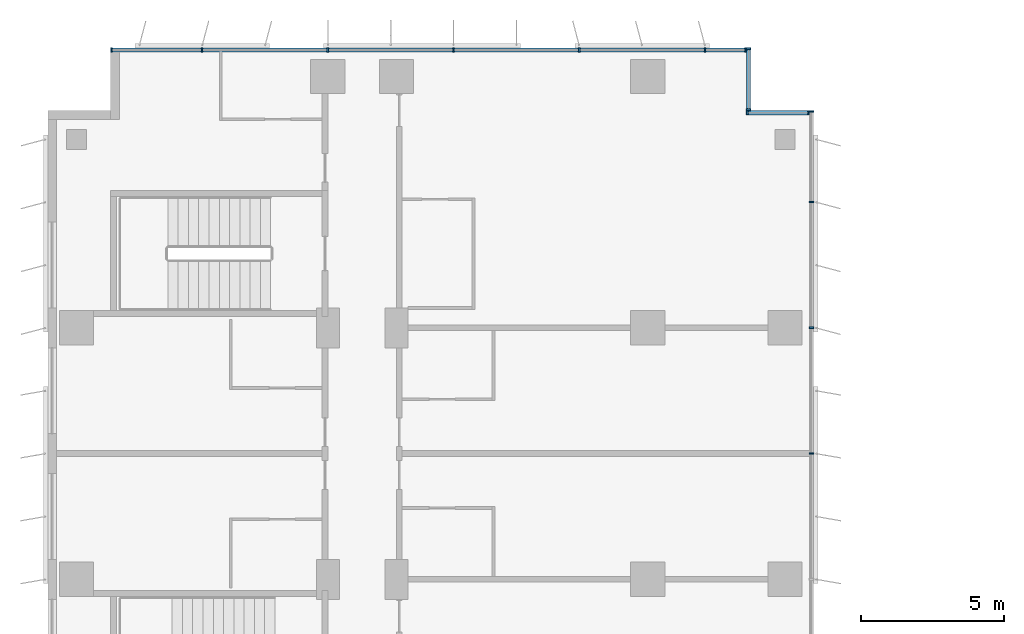
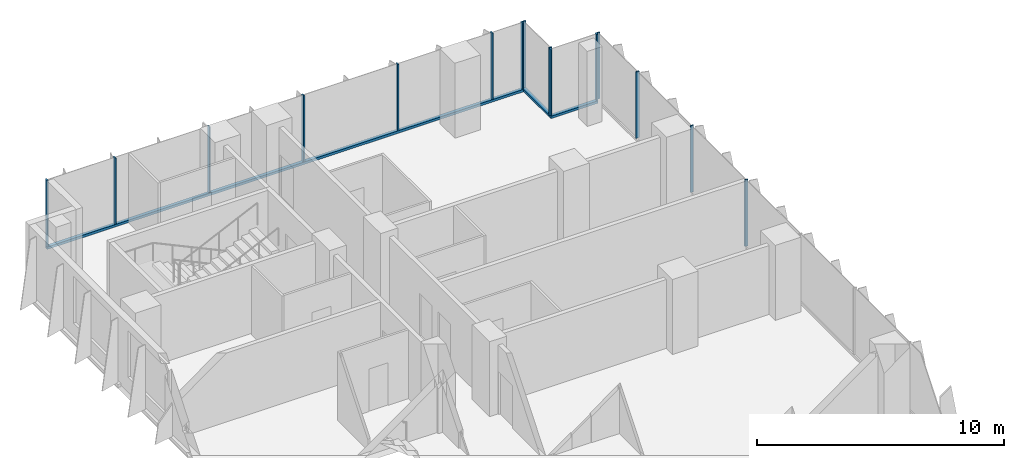
# One storey, part 9 of 23: 18 members, 4 elements without a shape of their own.
"""IFC4 building model written with IfcOpenShell, lengths in metres."""

from ifc_helpers import new_model, si_unit, direction, frame, origin, origin_2d, place, context, subcontext, project, spatial, rectangle, extrude, source, transform, mapped, material, material_profile, profile_set, type_object, element, aggregate, save


model = new_model("IFC4")

# Units and contexts
model_context = context("Model", 3, precision=1e-05, world=origin(), true_north=direction((0.0, 1.0)))
body_context = subcontext(model_context, "Body", "Model", "MODEL_VIEW")
ifc_project = project(units=[si_unit("LENGTHUNIT", "METRE"), si_unit("AREAUNIT", "SQUARE_METRE"), si_unit("VOLUMEUNIT", "CUBIC_METRE"), si_unit("PLANEANGLEUNIT", "RADIAN"), si_unit("MASSUNIT", "GRAM", prefix="KILO")], contexts=[model_context])

# Site, building, storey
site_placement = place(None, origin())
site = spatial("IfcSite", under=ifc_project, at=site_placement, CompositionType="ELEMENT")
building_placement = place(site_placement, origin())
building = spatial("IfcBuilding", under=site, at=building_placement, Name="Kemantara Hotel Tower", CompositionType="ELEMENT")
storey_placement = place(building_placement, frame((0.0, 0.0, 118.5)))
storey = spatial("IfcBuildingStorey", under=building, at=storey_placement, Name="L28", CompositionType="ELEMENT", Elevation=118.5)

# Curtain wall, member
ifc_material_1 = material(Name="Low-E tinted double insulated glass 36 mm", Category="glass")
curtain_wall_type = type_object("IfcCurtainWallType", Name="TOWER CURTAIN WALL, FRONT FACES", PredefinedType="USERDEFINED", material=ifc_material_1)
curtain_wall_1_placement = place(storey_placement, origin())
curtain_wall_1 = element("IfcCurtainWall", 1, at=curtain_wall_1_placement, inside=storey, type_object=curtain_wall_type, Name="CW4 L28 T2-R01-1", ObjectType="TOWER CURTAIN WALL, FRONT FACES", PredefinedType="USERDEFINED")
ifc_material_2 = material(Name="Aluminium 6063-T6 bronze anodised", Category="aluminium")
ifc_material_profile_1 = material_profile(ifc_material_2, rectangle(XDim=0.14990234375, YDim=0.1201171875, at=origin_2d()), Name="TOWER CURTAIN WALL, FRONT FACES TRANSOM")
ifc_profile_set_1 = profile_set([ifc_material_profile_1], Name="Aluminium 6063-T6 bronze anodised")
member_type_1 = type_object("IfcMemberType", Name="TOWER CURTAIN WALL, FRONT FACES TRANSOM", PredefinedType="USERDEFINED", material=ifc_profile_set_1)
member_1_placement = place(storey_placement, frame((24.449951171875, 81.125, 0.06005859375), z_axis=(-1.0, 0.0, 0.0), x_axis=(0.0, -1.0, 0.0)))
member_1 = element("IfcMember", 2, at=member_1_placement, type_object=member_type_1, Name="CW4 sill transom T2-R01-1", ObjectType="TRANSOM", PredefinedType="USERDEFINED", context=body_context, shape_type="SweptSolid", body=[
    extrude(rectangle(XDim=0.14990234375, YDim=0.1201171875, at=origin_2d()), origin(), (0.0, 0.0, 1.0), 22.25),
])

curtain_wall_2_placement = place(storey_placement, origin())
curtain_wall_2 = element("IfcCurtainWall", 3, at=curtain_wall_2_placement, inside=storey, type_object=curtain_wall_type, Name="CW4 L28 T2-R00-1", ObjectType="TOWER CURTAIN WALL, FRONT FACES", PredefinedType="USERDEFINED")
member_2_placement = place(storey_placement, frame((24.52490234375, 79.0, 0.06005859375), z_axis=(0.0, 1.0, 0.0), x_axis=(-1.0, 0.0, 0.0)))
member_2 = element("IfcMember", 4, at=member_2_placement, type_object=member_type_1, Name="CW4 sill transom T2-R00-1", ObjectType="TRANSOM", PredefinedType="USERDEFINED", context=body_context, shape_type="SweptSolid", body=[
    extrude(rectangle(XDim=0.14990234375, YDim=0.1201171875, at=origin_2d()), origin(), (0.0, 0.0, 1.0), 2.199951171875),
])

curtain_wall_3_placement = place(storey_placement, origin())
curtain_wall_3 = element("IfcCurtainWall", 5, at=curtain_wall_3_placement, inside=storey, type_object=curtain_wall_type, Name="CW4 L28 T2-R15-1", ObjectType="TOWER CURTAIN WALL, FRONT FACES", PredefinedType="USERDEFINED")
member_3_placement = place(storey_placement, frame((26.64990234375, 78.925048828125, 0.06005859375), z_axis=(-1.0, 0.0, 0.0), x_axis=(0.0, -1.0, 0.0)))
member_3 = element("IfcMember", 6, at=member_3_placement, type_object=member_type_1, Name="CW4 sill transom T2-R15-1", ObjectType="TRANSOM", PredefinedType="USERDEFINED", context=body_context, shape_type="SweptSolid", body=[
    extrude(rectangle(XDim=0.14990234375, YDim=0.1201171875, at=origin_2d()), origin(), (0.0, 0.0, 1.0), 2.199951171875),
])

# Member
ifc_material_profile_2 = material_profile(ifc_material_2, rectangle(XDim=0.14990234375, YDim=0.06005859375, at=origin_2d()), Name="TOWER CURTAIN WALL, FRONT FACES MULLION")
ifc_profile_set_2 = profile_set([ifc_material_profile_2], Name="Aluminium 6063-T6 bronze anodised")
member_type_2 = type_object("IfcMemberType", Name="TOWER CURTAIN WALL, FRONT FACES MULLION", PredefinedType="MULLION", material=ifc_profile_set_2)
shared_shape = source(origin(), body_context, "Body", "SweptSolid", [
    extrude(rectangle(XDim=0.14990234375, YDim=0.06005859375, at=origin_2d()), origin(), (0.0, 0.0, 1.0), 3.27978515625),
])
member_4_placement = place(storey_placement, frame((24.419921875, 81.125, 0.1201171875), z_axis=(0.0, 0.0, 1.0), x_axis=(0.0, -1.0, 0.0)))
member_4 = element("IfcMember", 7, at=member_4_placement, type_object=member_type_2, Name="CW4 mullion T2-R01-1.1", PredefinedType="MULLION", context=body_context, shape_type="MappedRepresentation", body=[
    mapped(shared_shape, transform((0.0, 0.0, 0.0))),
])

member_5_placement = place(storey_placement, frame((23.0, 81.125, 0.1201171875), z_axis=(0.0, 0.0, 1.0), x_axis=(0.0, -1.0, 0.0)))
member_5 = element("IfcMember", 8, at=member_5_placement, type_object=member_type_2, Name="CW4 mullion T2-R01-1.2", PredefinedType="MULLION", context=body_context, shape_type="MappedRepresentation", body=[
    mapped(shared_shape, transform((0.0, 0.0, 0.0))),
])

member_6_placement = place(storey_placement, frame((18.60009765625, 81.125, 0.1201171875), z_axis=(0.0, 0.0, 1.0), x_axis=(0.0, -1.0, 0.0)))
member_6 = element("IfcMember", 9, at=member_6_placement, type_object=member_type_2, Name="CW4 mullion T2-R01-1.3", PredefinedType="MULLION", context=body_context, shape_type="MappedRepresentation", body=[
    mapped(shared_shape, transform((0.0, 0.0, 0.0))),
])

member_7_placement = place(storey_placement, frame((14.199951171875, 81.125, 0.1201171875), z_axis=(0.0, 0.0, 1.0), x_axis=(0.0, -1.0, 0.0)))
member_7 = element("IfcMember", 10, at=member_7_placement, type_object=member_type_2, Name="CW4 mullion T2-R01-1.4", PredefinedType="MULLION", context=body_context, shape_type="MappedRepresentation", body=[
    mapped(shared_shape, transform((0.0, 0.0, 0.0))),
])

member_8_placement = place(storey_placement, frame((9.800048828125, 81.125, 0.1201171875), z_axis=(0.0, 0.0, 1.0), x_axis=(0.0, -1.0, 0.0)))
member_8 = element("IfcMember", 11, at=member_8_placement, type_object=member_type_2, Name="CW4 mullion T2-R01-1.5", PredefinedType="MULLION", context=body_context, shape_type="MappedRepresentation", body=[
    mapped(shared_shape, transform((0.0, 0.0, 0.0))),
])

member_9_placement = place(storey_placement, frame((5.39990234375, 81.125, 0.1201171875), z_axis=(0.0, 0.0, 1.0), x_axis=(0.0, -1.0, 0.0)))
member_9 = element("IfcMember", 12, at=member_9_placement, type_object=member_type_2, Name="CW4 mullion T2-R01-1.6", PredefinedType="MULLION", context=body_context, shape_type="MappedRepresentation", body=[
    mapped(shared_shape, transform((0.0, 0.0, 0.0))),
])

member_10_placement = place(storey_placement, frame((2.22998046875, 81.125, 0.1201171875), z_axis=(0.0, 0.0, 1.0), x_axis=(0.0, -1.0, 0.0)))
member_10 = element("IfcMember", 13, at=member_10_placement, type_object=member_type_2, Name="CW4 mullion T2-R01-1.7", PredefinedType="MULLION", context=body_context, shape_type="MappedRepresentation", body=[
    mapped(shared_shape, transform((0.0, 0.0, 0.0))),
])

aggregate(curtain_wall_1, [member_1, member_4, member_5, member_6, member_7, member_8, member_9, member_10])

# Curtain wall, members
curtain_wall_4_placement = place(storey_placement, origin())
curtain_wall_4 = element("IfcCurtainWall", 14, at=curtain_wall_4_placement, inside=storey, type_object=curtain_wall_type, Name="CW4 L28 T2-R14-1", ObjectType="TOWER CURTAIN WALL, FRONT FACES", PredefinedType="USERDEFINED")
member_11_placement = place(storey_placement, frame((26.72509765625, 67.0, 0.1201171875), z_axis=(0.0, 0.0, 1.0), x_axis=(-1.0, 0.0, 0.0)))
member_11 = element("IfcMember", 15, at=member_11_placement, type_object=member_type_2, Name="CW4 mullion T2-R14-1.12", PredefinedType="MULLION", context=body_context, shape_type="MappedRepresentation", body=[
    mapped(shared_shape, transform((0.0, 0.0, 0.0))),
])
member_12_placement = place(storey_placement, frame((26.72509765625, 71.39990234375, 0.1201171875), z_axis=(0.0, 0.0, 1.0), x_axis=(-1.0, 0.0, 0.0)))
member_12 = element("IfcMember", 16, at=member_12_placement, type_object=member_type_2, Name="CW4 mullion T2-R14-1.13", PredefinedType="MULLION", context=body_context, shape_type="MappedRepresentation", body=[
    mapped(shared_shape, transform((0.0, 0.0, 0.0))),
])
member_13_placement = place(storey_placement, frame((26.72509765625, 75.800048828125, 0.1201171875), z_axis=(0.0, 0.0, 1.0), x_axis=(-1.0, 0.0, 0.0)))
member_13 = element("IfcMember", 17, at=member_13_placement, type_object=member_type_2, Name="CW4 mullion T2-R14-1.14", PredefinedType="MULLION", context=body_context, shape_type="MappedRepresentation", body=[
    mapped(shared_shape, transform((0.0, 0.0, 0.0))),
])
member_14_placement = place(storey_placement, frame((26.72509765625, 78.969970703125, 0.1201171875), z_axis=(0.0, 0.0, 1.0), x_axis=(-1.0, 0.0, 0.0)))
member_14 = element("IfcMember", 18, at=member_14_placement, type_object=member_type_2, Name="CW4 mullion T2-R14-1.15", PredefinedType="MULLION", context=body_context, shape_type="MappedRepresentation", body=[
    mapped(shared_shape, transform((0.0, 0.0, 0.0))),
])
aggregate(curtain_wall_4, [member_11, member_12, member_13, member_14])

# Member
member_15_placement = place(storey_placement, frame((24.52490234375, 79.030029296875, 0.1201171875), z_axis=(0.0, 0.0, 1.0), x_axis=(-1.0, 0.0, 0.0)))
member_15 = element("IfcMember", 19, at=member_15_placement, type_object=member_type_2, Name="CW4 mullion T2-R00-1.1", PredefinedType="MULLION", context=body_context, shape_type="MappedRepresentation", body=[
    mapped(shared_shape, transform((0.0, 0.0, 0.0))),
])

member_16_placement = place(storey_placement, frame((24.52490234375, 81.169921875, 0.1201171875), z_axis=(0.0, 0.0, 1.0), x_axis=(-1.0, 0.0, 0.0)))
member_16 = element("IfcMember", 20, at=member_16_placement, type_object=member_type_2, Name="CW4 mullion T2-R00-1.2", PredefinedType="MULLION", context=body_context, shape_type="MappedRepresentation", body=[
    mapped(shared_shape, transform((0.0, 0.0, 0.0))),
])

aggregate(curtain_wall_2, [member_2, member_15, member_16])

member_17_placement = place(storey_placement, frame((26.6201171875, 78.925048828125, 0.1201171875), z_axis=(0.0, 0.0, 1.0), x_axis=(0.0, -1.0, 0.0)))
member_17 = element("IfcMember", 21, at=member_17_placement, type_object=member_type_2, Name="CW4 mullion T2-R15-1.1", PredefinedType="MULLION", context=body_context, shape_type="MappedRepresentation", body=[
    mapped(shared_shape, transform((0.0, 0.0, 0.0))),
])

member_18_placement = place(storey_placement, frame((24.47998046875, 78.925048828125, 0.1201171875), z_axis=(0.0, 0.0, 1.0), x_axis=(0.0, -1.0, 0.0)))
member_18 = element("IfcMember", 22, at=member_18_placement, type_object=member_type_2, Name="CW4 mullion T2-R15-1.2", PredefinedType="MULLION", context=body_context, shape_type="MappedRepresentation", body=[
    mapped(shared_shape, transform((0.0, 0.0, 0.0))),
])

aggregate(curtain_wall_3, [member_3, member_17, member_18])

save(model, "model.ifc")
